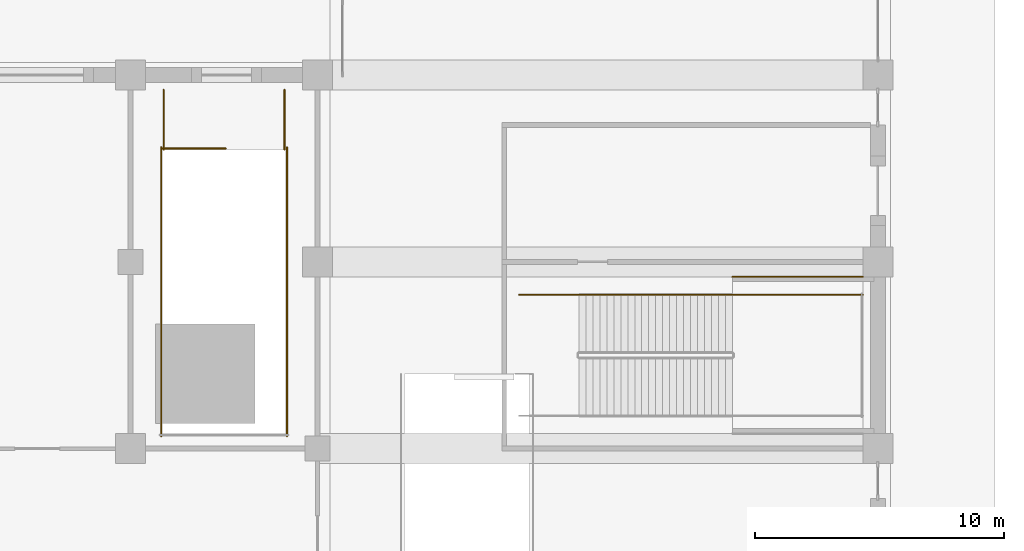
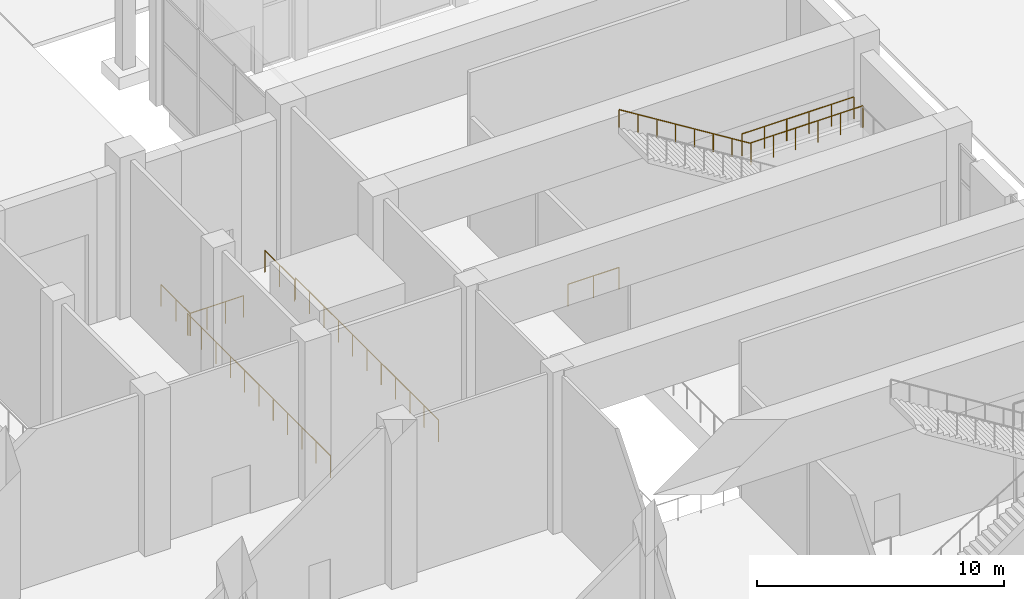
# One storey, part 51 of 57: 9 railings.
"""IFC4 building model written with IfcOpenShell, lengths in metres."""

from ifc_helpers import new_model, si_unit, direction, frame, origin, origin_2d, place, context, subcontext, project, spatial, circle, extrude, material, type_object, element, save


model = new_model("IFC4")

# Units and contexts
model_context = context("Model", 3, precision=1e-05, world=origin(), true_north=direction((0.0, 1.0)))
body_context = subcontext(model_context, "Body", "Model", "MODEL_VIEW")
ifc_project = project(units=[si_unit("LENGTHUNIT", "METRE"), si_unit("AREAUNIT", "SQUARE_METRE"), si_unit("VOLUMEUNIT", "CUBIC_METRE"), si_unit("PLANEANGLEUNIT", "RADIAN"), si_unit("MASSUNIT", "GRAM", prefix="KILO")], contexts=[model_context])

# Site, building, storey
site_placement = place(None, origin())
site = spatial("IfcSite", under=ifc_project, at=site_placement, CompositionType="ELEMENT")
building_placement = place(site_placement, origin())
building = spatial("IfcBuilding", under=site, at=building_placement, Name="Tamorin Gate", CompositionType="ELEMENT")
storey_placement = place(building_placement, origin())
storey = spatial("IfcBuildingStorey", under=building, at=storey_placement, Name="L00", CompositionType="ELEMENT", Elevation=0.0)

# Railings
ifc_material = material(Name="Steel", Category="steel")
railing_type_1 = type_object("IfcRailingType", Name="Podium guard 1100", PredefinedType="GUARDRAIL", material=ifc_material)
railing_1_placement = place(storey_placement, frame((106.159912109375, 103.175048828125, 4.0)))
element("IfcRailing", 1, at=railing_1_placement, inside=storey, type_object=railing_type_1, Name="L00 PS4 stair guard 4", PredefinedType="GUARDRAIL", context=body_context, shape_type="SweptSolid", body=[
    extrude(circle(Radius=0.02392578125, at=origin_2d()), frame((0.0, 0.0, 1.076171875), z_axis=(1.0, 0.0, 0.0), x_axis=(0.0, 1.0, 0.0)), (0.0, 0.0, 1.0), 5.239990234375),
    extrude(circle(Radius=0.02099609375, at=origin_2d()), origin(), (0.0, 0.0, 1.0), 1.052001953125),
    extrude(circle(Radius=0.02099609375, at=origin_2d()), frame((1.048095703125, 0.0, 0.0)), (0.0, 0.0, 1.0), 1.052001953125),
    extrude(circle(Radius=0.02099609375, at=origin_2d()), frame((2.095947265625, 0.0, 0.0)), (0.0, 0.0, 1.0), 1.052001953125),
    extrude(circle(Radius=0.02099609375, at=origin_2d()), frame((3.14404296875, 0.0, 0.0)), (0.0, 0.0, 1.0), 1.052001953125),
    extrude(circle(Radius=0.02099609375, at=origin_2d()), frame((4.19189453125, 0.0, 0.0)), (0.0, 0.0, 1.0), 1.052001953125),
    extrude(circle(Radius=0.02099609375, at=origin_2d()), frame((5.239990234375, 0.0, 0.0)), (0.0, 0.0, 1.0), 1.052001953125),
])
railing_2_placement = place(storey_placement, frame((97.60009765625, 103.175048828125, 0.0)))
element("IfcRailing", 2, at=railing_2_placement, inside=storey, type_object=railing_type_1, Name="L00 PS4 stair guard 9", PredefinedType="GUARDRAIL", context=body_context, shape_type="SweptSolid", body=[
    extrude(circle(Radius=0.02392578125, at=origin_2d()), frame((0.0, 0.0, 1.076171875), z_axis=(1.0, 0.0, 0.0), x_axis=(0.0, 1.0, 0.0)), (0.0, 0.0, 1.0), 2.39990234375),
    extrude(circle(Radius=0.02099609375, at=origin_2d()), origin(), (0.0, 0.0, 1.0), 1.052001953125),
    extrude(circle(Radius=0.02099609375, at=origin_2d()), frame((1.199951171875, 0.0, 0.0)), (0.0, 0.0, 1.0), 1.052001953125),
    extrude(circle(Radius=0.02099609375, at=origin_2d()), frame((2.39990234375, 0.0, 0.0)), (0.0, 0.0, 1.0), 1.052001953125),
])
railing_3_placement = place(storey_placement, frame((106.159912109375, 103.89990234375, 4.0)))
element("IfcRailing", 3, at=railing_3_placement, inside=storey, type_object=railing_type_1, Name="Landing edge guard", PredefinedType="GUARDRAIL", context=body_context, shape_type="SweptSolid", body=[
    extrude(circle(Radius=0.02392578125, at=origin_2d()), frame((0.0, 0.0, 1.076171875), z_axis=(1.0, 0.0, 0.0), x_axis=(0.0, 1.0, 0.0)), (0.0, 0.0, 1.0), 5.239990234375),
    extrude(circle(Radius=0.02099609375, at=origin_2d()), origin(), (0.0, 0.0, 1.0), 1.052001953125),
    extrude(circle(Radius=0.02099609375, at=origin_2d()), frame((1.048095703125, 0.0, 0.0)), (0.0, 0.0, 1.0), 1.052001953125),
    extrude(circle(Radius=0.02099609375, at=origin_2d()), frame((2.095947265625, 0.0, 0.0)), (0.0, 0.0, 1.0), 1.052001953125),
    extrude(circle(Radius=0.02099609375, at=origin_2d()), frame((3.14404296875, 0.0, 0.0)), (0.0, 0.0, 1.0), 1.052001953125),
    extrude(circle(Radius=0.02099609375, at=origin_2d()), frame((4.19189453125, 0.0, 0.0)), (0.0, 0.0, 1.0), 1.052001953125),
    extrude(circle(Radius=0.02099609375, at=origin_2d()), frame((5.239990234375, 0.0, 0.0)), (0.0, 0.0, 1.0), 1.052001953125),
])
railing_4_placement = place(storey_placement, frame((83.27490234375, 109.050048828125, 0.0)))
element("IfcRailing", 4, at=railing_4_placement, inside=storey, type_object=railing_type_1, Name="L00 SB5 top well guard 1", PredefinedType="GUARDRAIL", context=body_context, shape_type="SweptSolid", body=[
    extrude(circle(Radius=0.02392578125, at=origin_2d()), frame((0.0, 0.0, 1.076171875), z_axis=(1.0, 0.0, 0.0), x_axis=(0.0, 1.0, 0.0)), (0.0, 0.0, 1.0), 2.550048828125),
    extrude(circle(Radius=0.02099609375, at=origin_2d()), origin(), (0.0, 0.0, 1.0), 1.052001953125),
    extrude(circle(Radius=0.02099609375, at=origin_2d()), frame((0.85009765625, 0.0, 0.0)), (0.0, 0.0, 1.0), 1.052001953125),
    extrude(circle(Radius=0.02099609375, at=origin_2d()), frame((1.699951171875, 0.0, 0.0)), (0.0, 0.0, 1.0), 1.052001953125),
    extrude(circle(Radius=0.02099609375, at=origin_2d()), frame((2.550048828125, 0.0, 0.0)), (0.0, 0.0, 1.0), 1.052001953125),
])
for number, where, name in (
    (5, (83.22509765625, 109.10009765625, 0.0), "L00 SB5 top well guard 2"),
    (6, (88.27490234375, 109.10009765625, 0.0), "L00 SB5 top well guard 3"),
):
    element("IfcRailing", number, at=place(storey_placement, frame(where)), inside=storey, type_object=railing_type_1, Name=name, PredefinedType="GUARDRAIL", context=body_context, shape_type="SweptSolid", body=[
        extrude(circle(Radius=0.02392578125, at=origin_2d()), frame((0.0, 0.0, 1.076171875), z_axis=(0.0, -1.0, 0.0), x_axis=(1.0, 0.0, 0.0)), (0.0, 0.0, 1.0), 11.60009765625),
        extrude(circle(Radius=0.02099609375, at=origin_2d()), origin(), (0.0, 0.0, 1.0), 1.052001953125),
        extrude(circle(Radius=0.02099609375, at=origin_2d()), frame((0.0, -1.159912109375, 0.0)), (0.0, 0.0, 1.0), 1.052001953125),
        extrude(circle(Radius=0.02099609375, at=origin_2d()), frame((0.0, -2.320068359375, 0.0)), (0.0, 0.0, 1.0), 1.052001953125),
        extrude(circle(Radius=0.02099609375, at=origin_2d()), frame((0.0, -3.47998046875, 0.0)), (0.0, 0.0, 1.0), 1.052001953125),
        extrude(circle(Radius=0.02099609375, at=origin_2d()), frame((0.0, -4.64013671875, 0.0)), (0.0, 0.0, 1.0), 1.052001953125),
        extrude(circle(Radius=0.02099609375, at=origin_2d()), frame((0.0, -5.800048828125, 0.0)), (0.0, 0.0, 1.0), 1.052001953125),
        extrude(circle(Radius=0.02099609375, at=origin_2d()), frame((0.0, -6.9599609375, 0.0)), (0.0, 0.0, 1.0), 1.052001953125),
        extrude(circle(Radius=0.02099609375, at=origin_2d()), frame((0.0, -8.1201171875, 0.0)), (0.0, 0.0, 1.0), 1.052001953125),
        extrude(circle(Radius=0.02099609375, at=origin_2d()), frame((0.0, -9.280029296875, 0.0)), (0.0, 0.0, 1.0), 1.052001953125),
        extrude(circle(Radius=0.02099609375, at=origin_2d()), frame((0.0, -10.440185546875, 0.0)), (0.0, 0.0, 1.0), 1.052001953125),
        extrude(circle(Radius=0.02099609375, at=origin_2d()), frame((0.0, -11.60009765625, 0.0)), (0.0, 0.0, 1.0), 1.052001953125),
    ])
for number, where, name in (
    (7, (83.324951171875, 111.39990234375, 0.0), "L00 SB5 top well guard 5"),
    (8, (88.175048828125, 111.39990234375, 0.0), "L00 SB5 top well guard 6"),
):
    element("IfcRailing", number, at=place(storey_placement, frame(where)), inside=storey, type_object=railing_type_1, Name=name, PredefinedType="GUARDRAIL", context=body_context, shape_type="SweptSolid", body=[
        extrude(circle(Radius=0.02392578125, at=origin_2d()), frame((0.0, 0.0, 1.076171875), z_axis=(0.0, -1.0, 0.0), x_axis=(1.0, 0.0, 0.0)), (0.0, 0.0, 1.0), 2.39990234375),
        extrude(circle(Radius=0.02099609375, at=origin_2d()), origin(), (0.0, 0.0, 1.0), 1.052001953125),
        extrude(circle(Radius=0.02099609375, at=origin_2d()), frame((0.0, -1.199951171875, 0.0)), (0.0, 0.0, 1.0), 1.052001953125),
        extrude(circle(Radius=0.02099609375, at=origin_2d()), frame((0.0, -2.39990234375, 0.0)), (0.0, 0.0, 1.0), 1.052001953125),
    ])
railing_type_2 = type_object("IfcRailingType", Name="Podium stair handrail 900", PredefinedType="HANDRAIL", material=ifc_material)
railing_5_placement = place(storey_placement, frame((106.159912109375, 103.175048828125, 4.173828125)))
element("IfcRailing", 9, at=railing_5_placement, inside=storey, type_object=railing_type_2, Name="L00 PS4 stair handrail 2", PredefinedType="HANDRAIL", context=body_context, shape_type="SweptSolid", body=[
    extrude(circle(Radius=0.02392578125, at=origin_2d()), frame((0.0, 0.0, 0.8759765625), z_axis=(-0.849468459523, 0.0, 0.527639399851), x_axis=(0.0, -1.0, 0.0)), (0.0, 0.0, 1.0), 7.25146484375),
    extrude(circle(Radius=0.02099609375, at=origin_2d()), origin(), (0.0, 0.0, 1.0), 0.851806640625),
    extrude(circle(Radius=0.02099609375, at=origin_2d()), frame((-0.8798828125, 0.0, 0.546630859375)), (0.0, 0.0, 1.0), 0.851806640625),
    extrude(circle(Radius=0.02099609375, at=origin_2d()), frame((-1.760009765625, 0.0, 1.09326171875)), (0.0, 0.0, 1.0), 0.851806640625),
    extrude(circle(Radius=0.02099609375, at=origin_2d()), frame((-2.639892578125, 0.0, 1.639892578125)), (0.0, 0.0, 1.0), 0.851806640625),
    extrude(circle(Radius=0.02099609375, at=origin_2d()), frame((-3.52001953125, 0.0, 2.186279296875)), (0.0, 0.0, 1.0), 0.851806640625),
    extrude(circle(Radius=0.02099609375, at=origin_2d()), frame((-4.39990234375, 0.0, 2.73291015625)), (0.0, 0.0, 1.0), 0.851806640625),
    extrude(circle(Radius=0.02099609375, at=origin_2d()), frame((-5.280029296875, 0.0, 3.279541015625)), (0.0, 0.0, 1.0), 0.851806640625),
    extrude(circle(Radius=0.02099609375, at=origin_2d()), frame((-6.159912109375, 0.0, 3.826171875)), (0.0, 0.0, 1.0), 0.851806640625),
])

save(model, "model.ifc")
